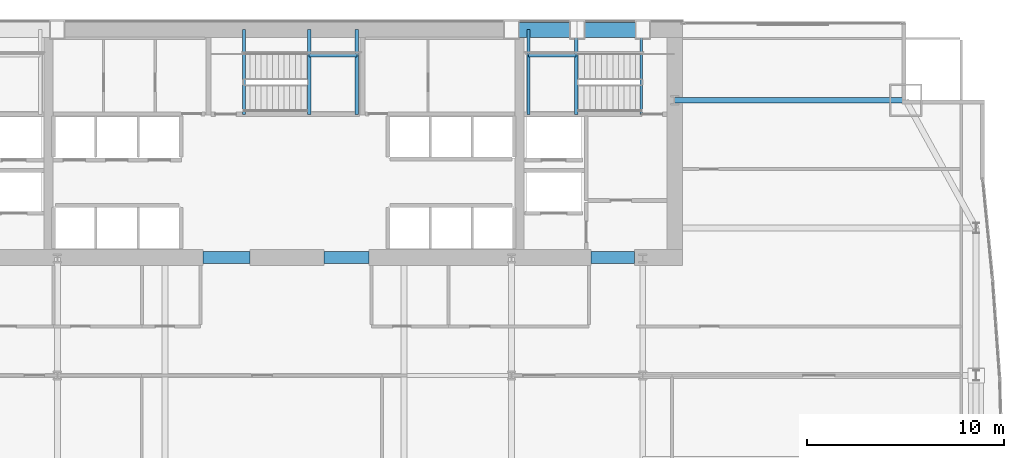
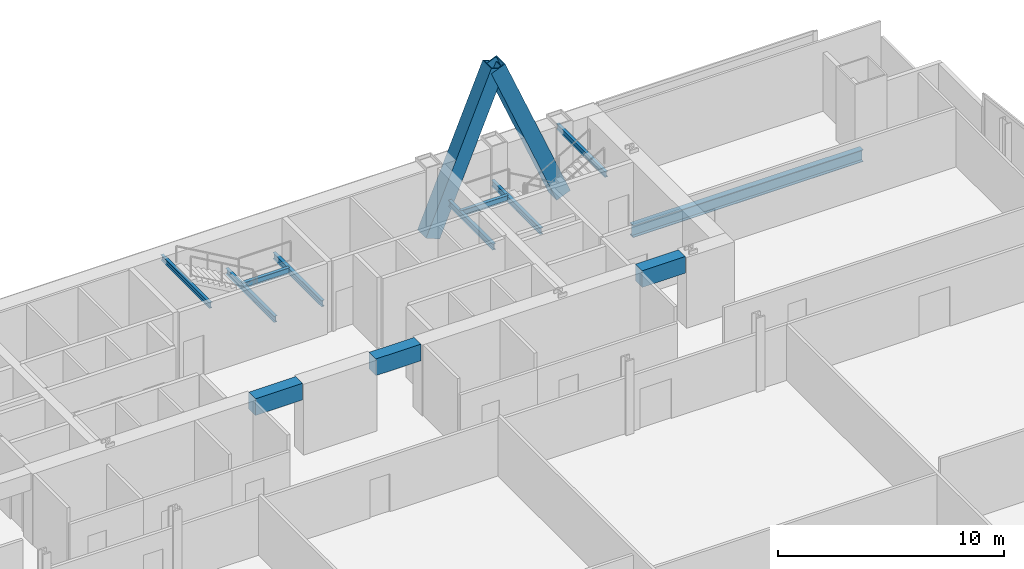
# One storey, part 19 of 33: 12 beams, 2 members.
"""IFC4 building model written with IfcOpenShell, lengths in metres."""

from ifc_helpers import new_model, si_unit, direction, frame, origin, origin_2d, place, context, subcontext, project, spatial, rectangle, hollow_rectangle, i_section, extrude, material, material_profile, profile_set, type_object, element, save


model = new_model("IFC4")

# Units and contexts
model_context = context("Model", 3, precision=1e-05, world=origin(), true_north=direction((0.0, 1.0)))
body_context = subcontext(model_context, "Body", "Model", "MODEL_VIEW")
ifc_project = project(units=[si_unit("LENGTHUNIT", "METRE"), si_unit("AREAUNIT", "SQUARE_METRE"), si_unit("VOLUMEUNIT", "CUBIC_METRE"), si_unit("PLANEANGLEUNIT", "RADIAN"), si_unit("MASSUNIT", "GRAM", prefix="KILO")], contexts=[model_context])

# Site, building, storey
site_placement = place(None, origin())
site = spatial("IfcSite", under=ifc_project, at=site_placement, CompositionType="ELEMENT")
building_placement = place(site_placement, origin())
building = spatial("IfcBuilding", under=site, at=building_placement, Name="Khoronbel Lancet Exchange", CompositionType="ELEMENT")
storey_placement = place(building_placement, frame((0.0, 0.0, 73.800048828125)))
storey = spatial("IfcBuildingStorey", under=building, at=storey_placement, Name="L17", CompositionType="ELEMENT", Elevation=73.800048828125)

# Beams
ifc_material_1 = material(Name="Steel S355", Category="steel")
ifc_material_profile_1 = material_profile(ifc_material_1, i_section(OverallWidth=0.159912109375, OverallDepth=0.330078125, WebThickness=0.007568359375, FlangeThickness=0.011474609375, at=origin_2d()), Name="IPE 330")
ifc_profile_set_1 = profile_set([ifc_material_profile_1], Name="Steel S355")
beam_type_1 = type_object("IfcBeamType", Name="BM-BJ7", PredefinedType="JOIST", material=ifc_profile_set_1)
for number, where, z_axis, x_axis, name in (
    (1, (51.2900390625, 48.97998046875, 1.635009765625), (0.0, 1.0, 0.0), (-1.0, 0.0, 0.0), "Level L17 stair ST2 landing bearer beam 1"),
    (2, (48.8701171875, 48.97998046875, 1.635009765625), (0.0, 1.0, 0.0), (-1.0, 0.0, 0.0), "Level L17 stair ST2 rear landing bearer beam 1"),
):
    element("IfcBeam", number, at=place(storey_placement, frame(where, z_axis=z_axis, x_axis=x_axis)), inside=storey, type_object=beam_type_1, Name=name, PredefinedType="JOIST", context=body_context, shape_type="SweptSolid", body=[
        extrude(i_section(OverallWidth=0.159912109375, OverallDepth=0.330078125, WebThickness=0.007568359375, FlangeThickness=0.011474609375, at=origin_2d()), origin(), (0.0, 0.0, 1.0), 4.320068359375),
    ])
beam_1_placement = place(storey_placement, frame((48.8701171875, 51.97998046875, 1.635009765625), z_axis=(1.0, 0.0, 0.0), x_axis=(0.0, 1.0, 0.0)))
element("IfcBeam", 3, at=beam_1_placement, inside=storey, type_object=beam_type_1, Name="Level L17 stair ST2 landing cross trimmer beam 1", PredefinedType="JOIST", context=body_context, shape_type="SweptSolid", body=[
    extrude(i_section(OverallWidth=0.159912109375, OverallDepth=0.330078125, WebThickness=0.007568359375, FlangeThickness=0.011474609375, at=origin_2d()), origin(), (0.0, 0.0, 1.0), 2.419921875),
])
for number, where, z_axis, x_axis, name in (
    (4, (37.7099609375, 48.97998046875, 1.635009765625), (0.0, 1.0, 0.0), (-1.0, 0.0, 0.0), "Level L17 stair ST3 landing bearer beam 1"),
    (5, (40.1298828125, 48.97998046875, 1.635009765625), (0.0, 1.0, 0.0), (-1.0, 0.0, 0.0), "Level L17 stair ST3 rear landing bearer beam 1"),
):
    element("IfcBeam", number, at=place(storey_placement, frame(where, z_axis=z_axis, x_axis=x_axis)), inside=storey, type_object=beam_type_1, Name=name, PredefinedType="JOIST", context=body_context, shape_type="SweptSolid", body=[
        extrude(i_section(OverallWidth=0.159912109375, OverallDepth=0.330078125, WebThickness=0.007568359375, FlangeThickness=0.011474609375, at=origin_2d()), origin(), (0.0, 0.0, 1.0), 4.320068359375),
    ])
beam_2_placement = place(storey_placement, frame((37.7099609375, 51.97998046875, 1.635009765625), z_axis=(1.0, 0.0, 0.0), x_axis=(0.0, 1.0, 0.0)))
element("IfcBeam", 6, at=beam_2_placement, inside=storey, type_object=beam_type_1, Name="Level L17 stair ST3 landing cross trimmer beam 1", PredefinedType="JOIST", context=body_context, shape_type="SweptSolid", body=[
    extrude(i_section(OverallWidth=0.159912109375, OverallDepth=0.330078125, WebThickness=0.007568359375, FlangeThickness=0.011474609375, at=origin_2d()), origin(), (0.0, 0.0, 1.0), 2.419921875),
])
ifc_material_profile_2 = material_profile(ifc_material_1, i_section(OverallWidth=0.14990234375, OverallDepth=0.300048828125, WebThickness=0.007080078125, FlangeThickness=0.0107421875, at=origin_2d()), Name="IPE 300")
ifc_profile_set_2 = profile_set([ifc_material_profile_2], Name="Steel S355")
beam_type_2 = type_object("IfcBeamType", Name="BM-BJ8", PredefinedType="JOIST", material=ifc_profile_set_2)
for number, where, z_axis, x_axis, name in (
    (7, (54.60009765625, 48.97998046875, 3.5400390625), (0.0, 1.0, 0.0), (-1.0, 0.0, 0.0), "Level L17 stair ST2 upper-flight arrival trimmer beam"),
    (8, (34.39990234375, 48.97998046875, 3.5400390625), (0.0, 1.0, 0.0), (-1.0, 0.0, 0.0), "Level L17 stair ST3 upper-flight arrival trimmer beam"),
):
    element("IfcBeam", number, at=place(storey_placement, frame(where, z_axis=z_axis, x_axis=x_axis)), inside=storey, type_object=beam_type_2, Name=name, PredefinedType="JOIST", context=body_context, shape_type="SweptSolid", body=[
        extrude(i_section(OverallWidth=0.14990234375, OverallDepth=0.300048828125, WebThickness=0.007080078125, FlangeThickness=0.0107421875, at=origin_2d()), origin(), (0.0, 0.0, 1.0), 4.320068359375),
    ])
ifc_material_2 = material(Name="Concrete C80/95", Category="concrete")
ifc_material_profile_3 = material_profile(ifc_material_2, rectangle(XDim=0.60009765625, YDim=0.89990234375, at=origin_2d()), Name="RC 600x900")
ifc_profile_set_3 = profile_set([ifc_material_profile_3], Name="Concrete C80/95")
beam_type_3 = type_object("IfcBeamType", Name="BM-BL1", PredefinedType="LINTEL", material=ifc_profile_set_3)
beam_3_placement = place(storey_placement, frame((32.300048828125, 41.699951171875, 3.369873046875), z_axis=(1.0, 0.0, 0.0), x_axis=(0.0, 1.0, 0.0)))
element("IfcBeam", 9, at=beam_3_placement, inside=storey, type_object=beam_type_3, Name="Level L17 rear core coupling lintel L2", PredefinedType="LINTEL", context=body_context, shape_type="SweptSolid", body=[
    extrude(rectangle(XDim=0.60009765625, YDim=0.89990234375, at=origin_2d()), origin(), (0.0, 0.0, 1.0), 2.39990234375),
])
beam_4_placement = place(storey_placement, frame((38.449951171875, 41.699951171875, 3.369873046875), z_axis=(1.0, 0.0, 0.0), x_axis=(0.0, 1.0, 0.0)))
element("IfcBeam", 10, at=beam_4_placement, inside=storey, type_object=beam_type_3, Name="Level L17 rear core coupling lintel L3", PredefinedType="LINTEL", context=body_context, shape_type="SweptSolid", body=[
    extrude(rectangle(XDim=0.60009765625, YDim=0.89990234375, at=origin_2d()), origin(), (0.0, 0.0, 1.0), 2.300048828125),
])
beam_5_placement = place(storey_placement, frame((52.050048828125, 41.699951171875, 3.369873046875), z_axis=(1.0, 0.0, 0.0), x_axis=(0.0, 1.0, 0.0)))
element("IfcBeam", 11, at=beam_5_placement, inside=storey, type_object=beam_type_3, Name="Level L17 rear core coupling lintel L4", PredefinedType="LINTEL", context=body_context, shape_type="SweptSolid", body=[
    extrude(rectangle(XDim=0.60009765625, YDim=0.89990234375, at=origin_2d()), origin(), (0.0, 0.0, 1.0), 2.199951171875),
])
ifc_material_profile_4 = material_profile(ifc_material_1, i_section(OverallWidth=0.300048828125, OverallDepth=0.64990234375, WebThickness=0.01611328125, FlangeThickness=0.031005859375, at=origin_2d()), Name="HEB 650")
ifc_profile_set_4 = profile_set([ifc_material_profile_4], Name="Steel S355")
beam_type_4 = type_object("IfcBeamType", Name="BM-BSP1", PredefinedType="SPANDREL", material=ifc_profile_set_4)
beam_6_placement = place(storey_placement, frame((68.050048828125, 49.699951171875, -0.505126953125), z_axis=(-1.0, 0.0, 0.0), x_axis=(0.0, -1.0, 0.0)))
element("IfcBeam", 12, at=beam_6_placement, inside=storey, type_object=beam_type_4, Name="Level L17 north flank tie spandrel SP23", PredefinedType="SPANDREL", context=body_context, shape_type="SweptSolid", body=[
    extrude(i_section(OverallWidth=0.300048828125, OverallDepth=0.64990234375, WebThickness=0.01611328125, FlangeThickness=0.031005859375, at=origin_2d()), origin(), (0.0, 0.0, 1.0), 11.75),
])

# Members
ifc_material_3 = material(Name="Steel S460", Category="steel")
ifc_material_profile_5 = material_profile(ifc_material_3, hollow_rectangle(XDim=0.760009765625, YDim=0.760009765625, WallThickness=0.054931640625, at=origin_2d()), Name="BOX 760x760x55")
ifc_profile_set_5 = profile_set([ifc_material_profile_5], Name="Steel S460")
member_type = type_object("IfcMemberType", Name="MEM-MB1", PredefinedType="BRACE", material=ifc_profile_set_5)
for number, where, z_axis, x_axis, name in (
    (13, (48.0, 53.280029296875, 0.0), (0.385015324606, 0.0, 0.922910179713), (0.0, 1.0, 0.0), "Perimeter lancet brace tier 5 N-E-L"),
    (14, (54.675048828125, 53.280029296875, 0.0), (-0.385039314112, 0.0, 0.922900171518), (0.0, -1.0, 0.0), "Perimeter lancet brace tier 5 N-E-R"),
):
    element("IfcMember", number, at=place(storey_placement, frame(where, z_axis=z_axis, x_axis=x_axis)), inside=storey, type_object=member_type, Name=name, PredefinedType="BRACE", context=body_context, shape_type="SweptSolid", body=[
        extrude(hollow_rectangle(XDim=0.760009765625, YDim=0.760009765625, WallThickness=0.054931640625, at=origin_2d()), origin(), (0.0, 0.0, 1.0), 8.668212890625),
    ])

save(model, "model.ifc")
